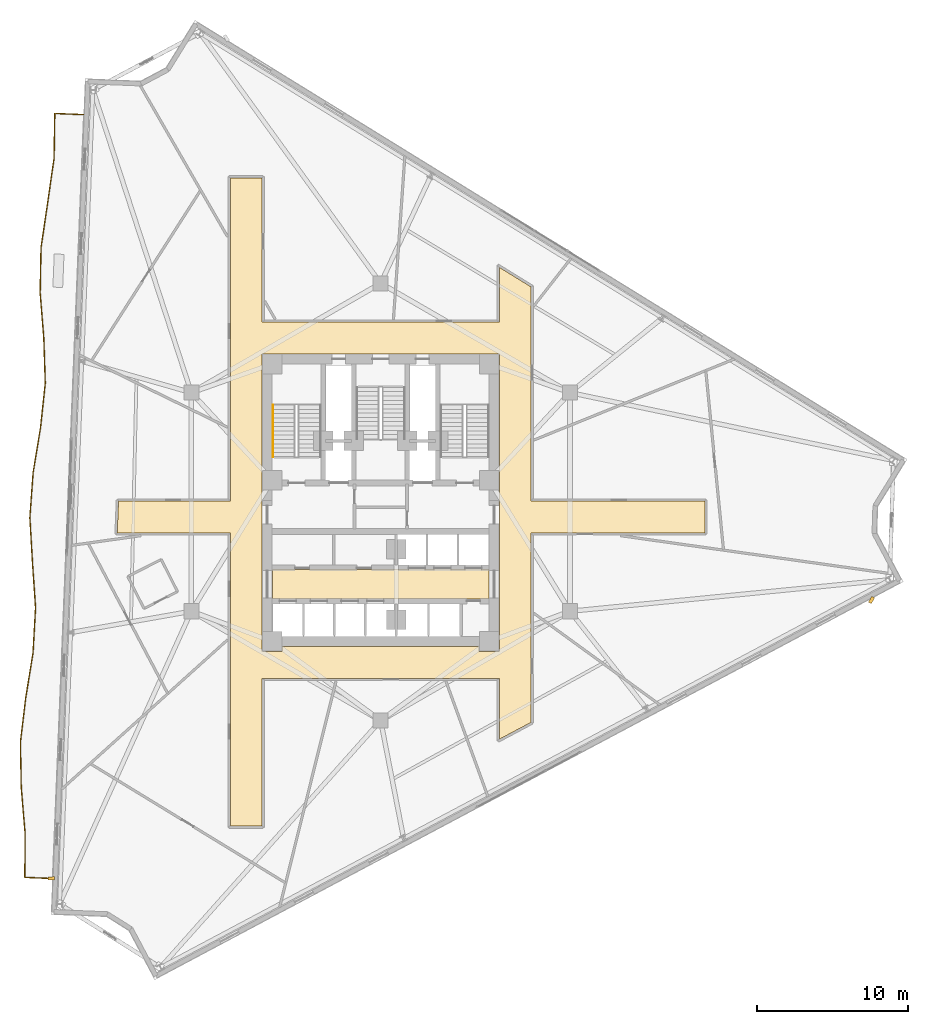
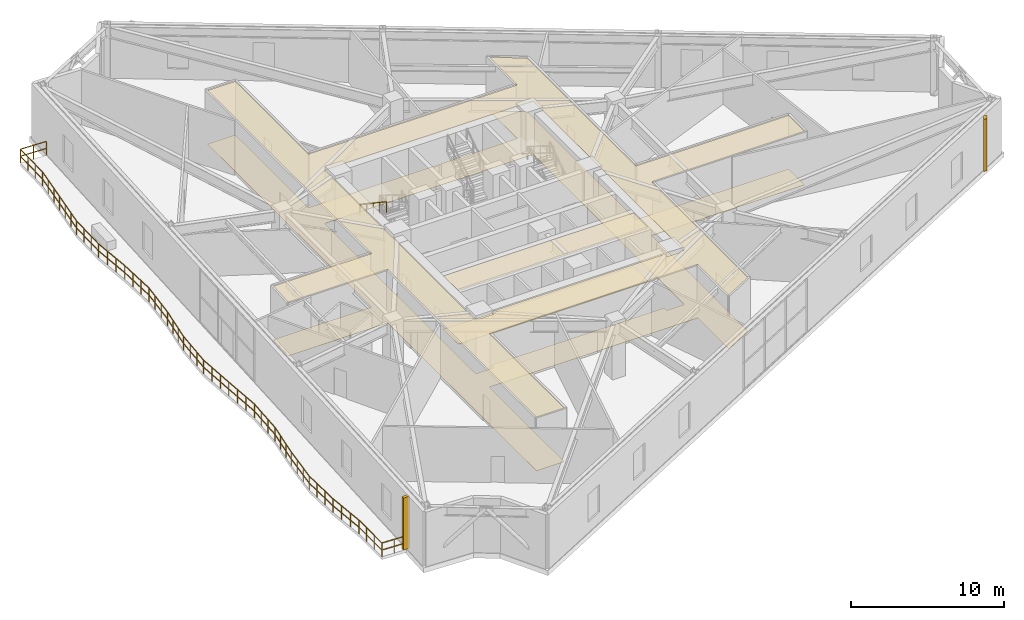
# One storey, part 21 of 22: 4 coverings, 2 railings, 2 shading devices.
"""IFC4 building model written with IfcOpenShell, lengths in metres."""

from ifc_helpers import new_model, si_unit, direction, frame, origin, origin_2d, place, context, subcontext, project, spatial, polyline, rectangle, outline, extrude, material, layer, layer_set, type_object, element, save


model = new_model("IFC4")

# Units and contexts
model_context = context("Model", 3, precision=1e-05, world=origin(), true_north=direction((0.0, 1.0)))
body_context = subcontext(model_context, "Body", "Model", "MODEL_VIEW")
ifc_project = project(units=[si_unit("LENGTHUNIT", "METRE"), si_unit("AREAUNIT", "SQUARE_METRE"), si_unit("VOLUMEUNIT", "CUBIC_METRE"), si_unit("PLANEANGLEUNIT", "RADIAN"), si_unit("MASSUNIT", "GRAM", prefix="KILO")], contexts=[model_context])

# Site, building, storey
site_placement = place(None, origin())
site = spatial("IfcSite", under=ifc_project, at=site_placement, CompositionType="ELEMENT")
building_placement = place(site_placement, origin())
building = spatial("IfcBuilding", under=site, at=building_placement, Name="Apsidion Concourse Tower", CompositionType="ELEMENT")
storey_placement = place(building_placement, frame((0.0, 0.0, 160.89990234375)))
storey = spatial("IfcBuildingStorey", under=building, at=storey_placement, Name="L37", CompositionType="ELEMENT", Elevation=160.89990234375)

# Coverings
ifc_material_1 = material(Name="Acoustic mineral fibre ceiling")
ifc_layer_1 = layer(ifc_material_1, 0.0400390625)
ifc_layer_set_1 = layer_set([ifc_layer_1], Name="Acoustic mineral fibre ceiling")
covering_type_1 = type_object("IfcCoveringType", Name="COV-CEIL-40", PredefinedType="CEILING", material=ifc_layer_set_1)
covering_1_placement = place(storey_placement, frame((0.0, 0.0, 4.25)))
element("IfcCovering", 1, at=covering_1_placement, inside=storey, type_object=covering_type_1, Name="L37 Acoustic Ceiling Grid 1", PredefinedType="CEILING", context=body_context, shape_type="SweptSolid", body=[
    extrude(outline(polyline([(-7.179931640625, -6.449951171875), (-7.179931640625, -4.47998046875), (7.179931640625, -4.47998046875), (7.179931640625, -6.449951171875), (-7.179931640625, -6.449951171875)])), origin(), (0.0, 0.0, 1.0), 0.0400390625),
])
covering_2_placement = place(storey_placement, frame((0.0, 0.0, 4.25)))
element("IfcCovering", 2, at=covering_2_placement, inside=storey, type_object=covering_type_1, Name="L37 Acoustic Ceiling Grid 2", PredefinedType="CEILING", context=body_context, shape_type="SweptSolid", body=[
    extrude(outline(polyline([(9.969970703125, -14.620849609375), (7.8701171875, -15.7373046875), (7.8701171875, -11.695068359375), (-7.8701171875, -11.695068359375), (-7.8701171875, -21.5), (-9.969970703125, -21.5), (-9.969970703125, -11.695068359375), (-9.969970703125, -2.050048828125), (-17.47314453125, -2.050048828125), (-17.387451171875, 0.050048828125), (-9.969970703125, 0.050048828125), (-9.969970703125, 11.919921875), (-9.969970703125, 21.5), (-7.8701171875, 21.5), (-7.8701171875, 11.919921875), (7.8701171875, 11.919921875), (7.8701171875, 15.559814453125), (9.969970703125, 14.264892578125), (9.969970703125, 11.919921875), (9.969970703125, 0.050048828125), (21.5, 0.050048828125), (21.5, -2.050048828125), (9.969970703125, -2.050048828125), (9.969970703125, -11.695068359375), (9.969970703125, -14.620849609375)]), holes=[polyline([(7.8701171875, -8.60009765625), (7.8701171875, -2.050048828125), (7.8701171875, 0.050048828125), (7.8701171875, 0.800048828125), (7.8701171875, 2.10009765625), (7.8701171875, 8.5), (7.8701171875, 9.800048828125), (7.8701171875, 9.820068359375), (7.85009765625, 9.820068359375), (6.550048828125, 9.820068359375), (-6.550048828125, 9.820068359375), (-7.85009765625, 9.820068359375), (-7.8701171875, 9.820068359375), (-7.8701171875, 9.800048828125), (-7.8701171875, 8.5), (-7.8701171875, 2.10009765625), (-7.8701171875, 0.800048828125), (-7.8701171875, 0.050048828125), (-7.8701171875, -2.050048828125), (-7.8701171875, -8.60009765625), (-7.8701171875, -9.594970703125), (-7.8701171875, -9.89990234375), (-7.869873046875, -9.902099609375), (-7.86962890625, -9.90380859375), (-7.869140625, -9.90576171875), (-7.868408203125, -9.90771484375), (-7.86767578125, -9.909423828125), (-7.86669921875, -9.9111328125), (-7.865478515625, -9.91259765625), (-7.864013671875, -9.9140625), (-7.86279296875, -9.91552734375), (-7.861083984375, -9.91650390625), (-7.859375, -9.91748046875), (-7.857666015625, -9.91845703125), (-7.855712890625, -9.919189453125), (-7.85400390625, -9.919677734375), (-7.85205078125, -9.919921875), (-7.85009765625, -9.919921875), (-6.550048828125, -9.919921875), (-6.548095703125, -9.919921875), (-6.546142578125, -9.919677734375), (-6.544189453125, -9.919189453125), (-6.542236328125, -9.91845703125), (-6.54052734375, -9.91748046875), (-6.538818359375, -9.91650390625), (-6.537353515625, -9.91552734375), (-6.535888671875, -9.9140625), (-6.534423828125, -9.91259765625), (-6.533447265625, -9.9111328125), (-6.532470703125, -9.909423828125), (-6.531494140625, -9.90771484375), (-6.531005859375, -9.90576171875), (-6.530517578125, -9.90380859375), (-6.530029296875, -9.902099609375), (-6.530029296875, -9.89990234375), (-6.530029296875, -9.594970703125), (6.530029296875, -9.594970703125), (6.530029296875, -9.89990234375), (6.530029296875, -9.902099609375), (6.530517578125, -9.90380859375), (6.531005859375, -9.90576171875), (6.531494140625, -9.90771484375), (6.532470703125, -9.909423828125), (6.533447265625, -9.9111328125), (6.534423828125, -9.91259765625), (6.535888671875, -9.9140625), (6.537353515625, -9.91552734375), (6.538818359375, -9.91650390625), (6.54052734375, -9.91748046875), (6.542236328125, -9.91845703125), (6.544189453125, -9.919189453125), (6.546142578125, -9.919677734375), (6.548095703125, -9.919921875), (6.550048828125, -9.919921875), (7.85009765625, -9.919921875), (7.85205078125, -9.919921875), (7.85400390625, -9.919677734375), (7.855712890625, -9.919189453125), (7.857666015625, -9.91845703125), (7.859375, -9.91748046875), (7.861083984375, -9.91650390625), (7.86279296875, -9.91552734375), (7.864013671875, -9.9140625), (7.865478515625, -9.91259765625), (7.86669921875, -9.9111328125), (7.86767578125, -9.909423828125), (7.868408203125, -9.90771484375), (7.869140625, -9.90576171875), (7.86962890625, -9.90380859375), (7.869873046875, -9.902099609375), (7.8701171875, -9.89990234375), (7.8701171875, -9.594970703125), (7.8701171875, -8.60009765625)])]), origin(), (0.0, 0.0, 1.0), 0.0400390625),
])
ifc_material_2 = material(Name="Honed travertine floor finish", Category="masonry")
ifc_layer_2 = layer(ifc_material_2, 0.02001953125)
ifc_layer_set_2 = layer_set([ifc_layer_2], Name="Honed travertine floor finish")
covering_type_2 = type_object("IfcCoveringType", Name="COV-FLOR-20", PredefinedType="FLOORING", material=ifc_layer_set_2)
covering_3_placement = place(storey_placement, origin())
element("IfcCovering", 3, at=covering_3_placement, inside=storey, type_object=covering_type_2, Name="L37 Honed Travertine Floor Finish 1", PredefinedType="FLOORING", context=body_context, shape_type="SweptSolid", body=[
    extrude(outline(polyline([(-7.179931640625, -6.449951171875), (-7.179931640625, -4.47998046875), (7.179931640625, -4.47998046875), (7.179931640625, -6.449951171875), (-7.179931640625, -6.449951171875)])), origin(), (0.0, 0.0, 1.0), 0.02001953125),
])
covering_4_placement = place(storey_placement, origin())
element("IfcCovering", 4, at=covering_4_placement, inside=storey, type_object=covering_type_2, Name="L37 Honed Travertine Floor Finish 2", PredefinedType="FLOORING", context=body_context, shape_type="SweptSolid", body=[
    extrude(outline(polyline([(9.969970703125, -14.620849609375), (7.8701171875, -15.7373046875), (7.8701171875, -11.695068359375), (-7.8701171875, -11.695068359375), (-7.8701171875, -21.5), (-9.969970703125, -21.5), (-9.969970703125, -11.695068359375), (-9.969970703125, -2.050048828125), (-17.47314453125, -2.050048828125), (-17.387451171875, 0.050048828125), (-9.969970703125, 0.050048828125), (-9.969970703125, 11.919921875), (-9.969970703125, 21.5), (-7.8701171875, 21.5), (-7.8701171875, 11.919921875), (7.8701171875, 11.919921875), (7.8701171875, 15.559814453125), (9.969970703125, 14.264892578125), (9.969970703125, 11.919921875), (9.969970703125, 0.050048828125), (21.5, 0.050048828125), (21.5, -2.050048828125), (9.969970703125, -2.050048828125), (9.969970703125, -11.695068359375), (9.969970703125, -14.620849609375)]), holes=[polyline([(7.8701171875, -8.60009765625), (7.8701171875, -2.050048828125), (7.8701171875, 0.050048828125), (7.8701171875, 0.800048828125), (7.8701171875, 2.10009765625), (7.8701171875, 8.5), (7.8701171875, 9.800048828125), (7.8701171875, 9.820068359375), (7.85009765625, 9.820068359375), (6.550048828125, 9.820068359375), (-6.550048828125, 9.820068359375), (-7.85009765625, 9.820068359375), (-7.8701171875, 9.820068359375), (-7.8701171875, 9.800048828125), (-7.8701171875, 8.5), (-7.8701171875, 2.10009765625), (-7.8701171875, 0.800048828125), (-7.8701171875, 0.050048828125), (-7.8701171875, -2.050048828125), (-7.8701171875, -8.60009765625), (-7.8701171875, -9.594970703125), (-7.8701171875, -9.89990234375), (-7.869873046875, -9.902099609375), (-7.86962890625, -9.90380859375), (-7.869140625, -9.90576171875), (-7.868408203125, -9.90771484375), (-7.86767578125, -9.909423828125), (-7.86669921875, -9.9111328125), (-7.865478515625, -9.91259765625), (-7.864013671875, -9.9140625), (-7.86279296875, -9.91552734375), (-7.861083984375, -9.91650390625), (-7.859375, -9.91748046875), (-7.857666015625, -9.91845703125), (-7.855712890625, -9.919189453125), (-7.85400390625, -9.919677734375), (-7.85205078125, -9.919921875), (-7.85009765625, -9.919921875), (-6.550048828125, -9.919921875), (-6.548095703125, -9.919921875), (-6.546142578125, -9.919677734375), (-6.544189453125, -9.919189453125), (-6.542236328125, -9.91845703125), (-6.54052734375, -9.91748046875), (-6.538818359375, -9.91650390625), (-6.537353515625, -9.91552734375), (-6.535888671875, -9.9140625), (-6.534423828125, -9.91259765625), (-6.533447265625, -9.9111328125), (-6.532470703125, -9.909423828125), (-6.531494140625, -9.90771484375), (-6.531005859375, -9.90576171875), (-6.530517578125, -9.90380859375), (-6.530029296875, -9.902099609375), (-6.530029296875, -9.89990234375), (-6.530029296875, -9.594970703125), (6.530029296875, -9.594970703125), (6.530029296875, -9.89990234375), (6.530029296875, -9.902099609375), (6.530517578125, -9.90380859375), (6.531005859375, -9.90576171875), (6.531494140625, -9.90771484375), (6.532470703125, -9.909423828125), (6.533447265625, -9.9111328125), (6.534423828125, -9.91259765625), (6.535888671875, -9.9140625), (6.537353515625, -9.91552734375), (6.538818359375, -9.91650390625), (6.54052734375, -9.91748046875), (6.542236328125, -9.91845703125), (6.544189453125, -9.919189453125), (6.546142578125, -9.919677734375), (6.548095703125, -9.919921875), (6.550048828125, -9.919921875), (7.85009765625, -9.919921875), (7.85205078125, -9.919921875), (7.85400390625, -9.919677734375), (7.855712890625, -9.919189453125), (7.857666015625, -9.91845703125), (7.859375, -9.91748046875), (7.861083984375, -9.91650390625), (7.86279296875, -9.91552734375), (7.864013671875, -9.9140625), (7.865478515625, -9.91259765625), (7.86669921875, -9.9111328125), (7.86767578125, -9.909423828125), (7.868408203125, -9.90771484375), (7.869140625, -9.90576171875), (7.86962890625, -9.90380859375), (7.869873046875, -9.902099609375), (7.8701171875, -9.89990234375), (7.8701171875, -9.594970703125), (7.8701171875, -8.60009765625)])]), origin(), (0.0, 0.0, 1.0), 0.02001953125),
])

# Railings
ifc_material_3 = material(Name="Brushed stainless steel 316", Category="steel")
railing_type_1 = type_object("IfcRailingType", Name="RL-BAL-1120", PredefinedType="BALUSTRADE", material=ifc_material_3)
railing_1_placement = place(storey_placement, frame((-21.777587890625, -24.97802734375, 0.0)))
element("IfcRailing", 5, at=railing_1_placement, inside=storey, type_object=railing_type_1, Name="L37 Face 1 Spiral Terrace Balustrade", PredefinedType="BALUSTRADE", context=body_context, shape_type="SweptSolid", body=[
    extrude(rectangle(XDim=0.048095703125, YDim=0.048095703125, at=origin_2d()), frame((0.0, 0.0, 1.09619140625), z_axis=(-0.999167274185, 0.040801448471, 0.0), x_axis=(-0.040801448471, -0.999167274185, 0.0)), (0.0, 0.0, 1.0), 1.824951171875),
    extrude(rectangle(XDim=0.048095703125, YDim=0.048095703125, at=origin_2d()), frame((0.0, 0.0, 0.5361328125), z_axis=(-0.999167274185, 0.040801448471, 0.0), x_axis=(-0.040801448471, -0.999167274185, 0.0)), (0.0, 0.0, 1.0), 1.824951171875),
    extrude(rectangle(XDim=0.048095703125, YDim=0.048095703125, at=origin_2d()), frame((-1.823486328125, 0.074462890625, 1.09619140625), z_axis=(0.003026075946, 0.999995421422, 0.0), x_axis=(-0.999995421422, 0.003026075946, 0.0)), (0.0, 0.0, 1.0), 2.985107421875),
    extrude(rectangle(XDim=0.048095703125, YDim=0.048095703125, at=origin_2d()), frame((-1.823486328125, 0.074462890625, 0.5361328125), z_axis=(0.003026075946, 0.999995421422, 0.0), x_axis=(-0.999995421422, 0.003026075946, 0.0)), (0.0, 0.0, 1.0), 2.985107421875),
    extrude(rectangle(XDim=0.048095703125, YDim=0.048095703125, at=origin_2d()), frame((-1.814453125, 3.0595703125, 1.09619140625), z_axis=(-0.08316646494, 0.996535668759, 0.0), x_axis=(-0.996535668759, -0.08316646494, 0.0)), (0.0, 0.0, 1.0), 3.006103515625),
    extrude(rectangle(XDim=0.048095703125, YDim=0.048095703125, at=origin_2d()), frame((-1.814453125, 3.0595703125, 0.5361328125), z_axis=(-0.08316646494, 0.996535668759, 0.0), x_axis=(-0.996535668759, -0.08316646494, 0.0)), (0.0, 0.0, 1.0), 3.006103515625),
    extrude(rectangle(XDim=0.048095703125, YDim=0.048095703125, at=origin_2d()), frame((-2.064453125, 6.05517578125, 1.09619140625), z_axis=(-0.018302074093, 0.999832503014, 0.0), x_axis=(-0.999832503014, -0.018302074093, 0.0)), (0.0, 0.0, 1.0), 2.988037109375),
    extrude(rectangle(XDim=0.048095703125, YDim=0.048095703125, at=origin_2d()), frame((-2.064453125, 6.05517578125, 0.5361328125), z_axis=(-0.018302074093, 0.999832503014, 0.0), x_axis=(-0.999832503014, -0.018302074093, 0.0)), (0.0, 0.0, 1.0), 2.988037109375),
    extrude(rectangle(XDim=0.048095703125, YDim=0.048095703125, at=origin_2d()), frame((-2.119140625, 9.042724609375, 1.09619140625), z_axis=(0.119122699443, 0.992879540769, 0.0), x_axis=(-0.992879540769, 0.119122699443, 0.0)), (0.0, 0.0, 1.0), 2.9921875),
    extrude(rectangle(XDim=0.048095703125, YDim=0.048095703125, at=origin_2d()), frame((-2.119140625, 9.042724609375, 0.5361328125), z_axis=(0.119122699443, 0.992879540769, 0.0), x_axis=(-0.992879540769, 0.119122699443, 0.0)), (0.0, 0.0, 1.0), 2.9921875),
    extrude(rectangle(XDim=0.048095703125, YDim=0.048095703125, at=origin_2d()), frame((-1.7626953125, 12.013671875, 1.09619140625), z_axis=(0.159904256805, 0.987132528415, 0.0), x_axis=(-0.987132528415, 0.159904256805, 0.0)), (0.0, 0.0, 1.0), 3.004638671875),
    extrude(rectangle(XDim=0.048095703125, YDim=0.048095703125, at=origin_2d()), frame((-1.7626953125, 12.013671875, 0.5361328125), z_axis=(0.159904256805, 0.987132528415, 0.0), x_axis=(-0.987132528415, 0.159904256805, 0.0)), (0.0, 0.0, 1.0), 3.004638671875),
    extrude(rectangle(XDim=0.048095703125, YDim=0.048095703125, at=origin_2d()), frame((-1.2822265625, 14.979736328125, 1.09619140625), z_axis=(0.055732912359, 0.998445713336, 0.0), x_axis=(-0.998445713336, 0.055732912359, 0.0)), (0.0, 0.0, 1.0), 2.983154296875),
    extrude(rectangle(XDim=0.048095703125, YDim=0.048095703125, at=origin_2d()), frame((-1.2822265625, 14.979736328125, 0.5361328125), z_axis=(0.055732912359, 0.998445713336, 0.0), x_axis=(-0.998445713336, 0.055732912359, 0.0)), (0.0, 0.0, 1.0), 2.983154296875),
    extrude(rectangle(XDim=0.048095703125, YDim=0.048095703125, at=origin_2d()), frame((-1.115966796875, 17.958251953125, 1.09619140625), z_axis=(-0.067528776101, 0.997717326901, 0.0), x_axis=(-0.997717326901, -0.067528776101, 0.0)), (0.0, 0.0, 1.0), 3.000732421875),
    extrude(rectangle(XDim=0.048095703125, YDim=0.048095703125, at=origin_2d()), frame((-1.115966796875, 17.958251953125, 0.5361328125), z_axis=(-0.067528776101, 0.997717326901, 0.0), x_axis=(-0.997717326901, -0.067528776101, 0.0)), (0.0, 0.0, 1.0), 3.000732421875),
    extrude(rectangle(XDim=0.048095703125, YDim=0.048095703125, at=origin_2d()), frame((-1.318603515625, 20.9521484375, 1.09619140625), z_axis=(-0.058316185429, 0.998298163134, 0.0), x_axis=(-0.998298163134, -0.058316185429, 0.0)), (0.0, 0.0, 1.0), 2.99755859375),
    extrude(rectangle(XDim=0.048095703125, YDim=0.048095703125, at=origin_2d()), frame((-1.318603515625, 20.9521484375, 0.5361328125), z_axis=(-0.058316185429, 0.998298163134, 0.0), x_axis=(-0.998298163134, -0.058316185429, 0.0)), (0.0, 0.0, 1.0), 2.99755859375),
    extrude(rectangle(XDim=0.048095703125, YDim=0.048095703125, at=origin_2d()), frame((-1.493408203125, 23.944580078125, 1.09619140625), z_axis=(0.072148072504, 0.997393932022, 0.0), x_axis=(-0.997393932022, 0.072148072504, 0.0)), (0.0, 0.0, 1.0), 2.984619140625),
    extrude(rectangle(XDim=0.048095703125, YDim=0.048095703125, at=origin_2d()), frame((-1.493408203125, 23.944580078125, 0.5361328125), z_axis=(0.072148072504, 0.997393932022, 0.0), x_axis=(-0.997393932022, 0.072148072504, 0.0)), (0.0, 0.0, 1.0), 2.984619140625),
    extrude(rectangle(XDim=0.048095703125, YDim=0.048095703125, at=origin_2d()), frame((-1.278076171875, 26.92138671875, 1.09619140625), z_axis=(0.163345152944, 0.986568984415, 0.0), x_axis=(-0.986568984415, 0.163345152944, 0.0)), (0.0, 0.0, 1.0), 3.005615234375),
    extrude(rectangle(XDim=0.048095703125, YDim=0.048095703125, at=origin_2d()), frame((-1.278076171875, 26.92138671875, 0.5361328125), z_axis=(0.163345152944, 0.986568984415, 0.0), x_axis=(-0.986568984415, 0.163345152944, 0.0)), (0.0, 0.0, 1.0), 3.005615234375),
    extrude(rectangle(XDim=0.048095703125, YDim=0.048095703125, at=origin_2d()), frame((-0.787109375, 29.88671875, 1.09619140625), z_axis=(0.105607345036, 0.994407908594, 0.0), x_axis=(-0.994407908594, 0.105607345036, 0.0)), (0.0, 0.0, 1.0), 2.989013671875),
    extrude(rectangle(XDim=0.048095703125, YDim=0.048095703125, at=origin_2d()), frame((-0.787109375, 29.88671875, 0.5361328125), z_axis=(0.105607345036, 0.994407908594, 0.0), x_axis=(-0.994407908594, 0.105607345036, 0.0)), (0.0, 0.0, 1.0), 2.989013671875),
    extrude(rectangle(XDim=0.048095703125, YDim=0.048095703125, at=origin_2d()), frame((-0.471435546875, 32.859130859375, 1.09619140625), z_axis=(-0.032485907151, 0.999472193629, 0.0), x_axis=(-0.999472193629, -0.032485907151, 0.0)), (0.0, 0.0, 1.0), 2.990966796875),
    extrude(rectangle(XDim=0.048095703125, YDim=0.048095703125, at=origin_2d()), frame((-0.471435546875, 32.859130859375, 0.5361328125), z_axis=(-0.032485907151, 0.999472193629, 0.0), x_axis=(-0.999472193629, -0.032485907151, 0.0)), (0.0, 0.0, 1.0), 2.990966796875),
    extrude(rectangle(XDim=0.048095703125, YDim=0.048095703125, at=origin_2d()), frame((-0.568603515625, 35.8486328125, 1.09619140625), z_axis=(-0.080510471845, 0.996753762934, 0.0), x_axis=(-0.996753762934, -0.080510471845, 0.0)), (0.0, 0.0, 1.0), 3.005126953125),
    extrude(rectangle(XDim=0.048095703125, YDim=0.048095703125, at=origin_2d()), frame((-0.568603515625, 35.8486328125, 0.5361328125), z_axis=(-0.080510471845, 0.996753762934, 0.0), x_axis=(-0.996753762934, -0.080510471845, 0.0)), (0.0, 0.0, 1.0), 3.005126953125),
    extrude(rectangle(XDim=0.048095703125, YDim=0.048095703125, at=origin_2d()), frame((-0.810546875, 38.843994140625, 1.09619140625), z_axis=(0.0192287872, 0.999815109779, 0.0), x_axis=(-0.999815109779, 0.0192287872, 0.0)), (0.0, 0.0, 1.0), 2.983642578125),
    extrude(rectangle(XDim=0.048095703125, YDim=0.048095703125, at=origin_2d()), frame((-0.810546875, 38.843994140625, 0.5361328125), z_axis=(0.0192287872, 0.999815109779, 0.0), x_axis=(-0.999815109779, 0.0192287872, 0.0)), (0.0, 0.0, 1.0), 2.983642578125),
    extrude(rectangle(XDim=0.048095703125, YDim=0.048095703125, at=origin_2d()), frame((-0.753173828125, 41.8271484375, 1.09619140625), z_axis=(0.1452034263, 0.989401821805, 0.0), x_axis=(-0.989401821805, 0.1452034263, 0.0)), (0.0, 0.0, 1.0), 2.99951171875),
    extrude(rectangle(XDim=0.048095703125, YDim=0.048095703125, at=origin_2d()), frame((-0.753173828125, 41.8271484375, 0.5361328125), z_axis=(0.1452034263, 0.989401821805, 0.0), x_axis=(-0.989401821805, 0.1452034263, 0.0)), (0.0, 0.0, 1.0), 2.99951171875),
    extrude(rectangle(XDim=0.048095703125, YDim=0.048095703125, at=origin_2d()), frame((-0.317626953125, 44.794921875, 1.09619140625), z_axis=(0.143449873576, 0.989657584102, 0.0), x_axis=(-0.989657584102, 0.143449873576, 0.0)), (0.0, 0.0, 1.0), 2.998779296875),
    extrude(rectangle(XDim=0.048095703125, YDim=0.048095703125, at=origin_2d()), frame((-0.317626953125, 44.794921875, 0.5361328125), z_axis=(0.143449873576, 0.989657584102, 0.0), x_axis=(-0.989657584102, 0.143449873576, 0.0)), (0.0, 0.0, 1.0), 2.998779296875),
    extrude(rectangle(XDim=0.048095703125, YDim=0.048095703125, at=origin_2d()), frame((0.112548828125, 47.7626953125, 1.09619140625), z_axis=(0.015954110252, 0.999872725084, 0.0), x_axis=(-0.999872725084, 0.015954110252, 0.0)), (0.0, 0.0, 1.0), 2.984130859375),
    extrude(rectangle(XDim=0.048095703125, YDim=0.048095703125, at=origin_2d()), frame((0.112548828125, 47.7626953125, 0.5361328125), z_axis=(0.015954110252, 0.999872725084, 0.0), x_axis=(-0.999872725084, 0.015954110252, 0.0)), (0.0, 0.0, 1.0), 2.984130859375),
    extrude(rectangle(XDim=0.048095703125, YDim=0.048095703125, at=origin_2d()), frame((0.16015625, 50.746337890625, 1.09619140625), z_axis=(0.999164011072, -0.040881279062, 0.0), x_axis=(0.040881279062, 0.999164011072, 0.0)), (0.0, 0.0, 1.0), 1.9111328125),
    extrude(rectangle(XDim=0.048095703125, YDim=0.048095703125, at=origin_2d()), frame((0.16015625, 50.746337890625, 0.5361328125), z_axis=(0.999164011072, -0.040881279062, 0.0), x_axis=(0.040881279062, 0.999164011072, 0.0)), (0.0, 0.0, 1.0), 1.9111328125),
    extrude(rectangle(XDim=0.0419921875, YDim=0.0419921875, at=origin_2d()), origin(), (0.0, 0.0, 1.0), 1.072021484375),
    extrude(rectangle(XDim=0.0419921875, YDim=0.0419921875, at=origin_2d()), frame((-0.91162109375, 0.037109375, 0.0)), (0.0, 0.0, 1.0), 1.072021484375),
    extrude(rectangle(XDim=0.0419921875, YDim=0.0419921875, at=origin_2d()), frame((-1.823486328125, 0.074462890625, 0.0)), (0.0, 0.0, 1.0), 1.072021484375),
    extrude(rectangle(XDim=0.0419921875, YDim=0.0419921875, at=origin_2d()), frame((-1.820556640625, 1.069580078125, 0.0)), (0.0, 0.0, 1.0), 1.072021484375),
    extrude(rectangle(XDim=0.0419921875, YDim=0.0419921875, at=origin_2d()), frame((-1.8173828125, 2.064453125, 0.0)), (0.0, 0.0, 1.0), 1.072021484375),
    extrude(rectangle(XDim=0.0419921875, YDim=0.0419921875, at=origin_2d()), frame((-1.814453125, 3.0595703125, 0.0)), (0.0, 0.0, 1.0), 1.072021484375),
    extrude(rectangle(XDim=0.0419921875, YDim=0.0419921875, at=origin_2d()), frame((-1.897705078125, 4.05810546875, 0.0)), (0.0, 0.0, 1.0), 1.072021484375),
    extrude(rectangle(XDim=0.0419921875, YDim=0.0419921875, at=origin_2d()), frame((-1.981201171875, 5.056640625, 0.0)), (0.0, 0.0, 1.0), 1.072021484375),
    extrude(rectangle(XDim=0.0419921875, YDim=0.0419921875, at=origin_2d()), frame((-2.064453125, 6.05517578125, 0.0)), (0.0, 0.0, 1.0), 1.072021484375),
    extrude(rectangle(XDim=0.0419921875, YDim=0.0419921875, at=origin_2d()), frame((-2.082763671875, 7.051025390625, 0.0)), (0.0, 0.0, 1.0), 1.072021484375),
    extrude(rectangle(XDim=0.0419921875, YDim=0.0419921875, at=origin_2d()), frame((-2.100830078125, 8.046875, 0.0)), (0.0, 0.0, 1.0), 1.072021484375),
    extrude(rectangle(XDim=0.0419921875, YDim=0.0419921875, at=origin_2d()), frame((-2.119140625, 9.042724609375, 0.0)), (0.0, 0.0, 1.0), 1.072021484375),
    extrude(rectangle(XDim=0.0419921875, YDim=0.0419921875, at=origin_2d()), frame((-2.000244140625, 10.032958984375, 0.0)), (0.0, 0.0, 1.0), 1.072021484375),
    extrude(rectangle(XDim=0.0419921875, YDim=0.0419921875, at=origin_2d()), frame((-1.881591796875, 11.0234375, 0.0)), (0.0, 0.0, 1.0), 1.072021484375),
    extrude(rectangle(XDim=0.0419921875, YDim=0.0419921875, at=origin_2d()), frame((-1.7626953125, 12.013671875, 0.0)), (0.0, 0.0, 1.0), 1.072021484375),
    extrude(rectangle(XDim=0.0419921875, YDim=0.0419921875, at=origin_2d()), frame((-1.6025390625, 13.00244140625, 0.0)), (0.0, 0.0, 1.0), 1.072021484375),
    extrude(rectangle(XDim=0.0419921875, YDim=0.0419921875, at=origin_2d()), frame((-1.4423828125, 13.990966796875, 0.0)), (0.0, 0.0, 1.0), 1.072021484375),
    extrude(rectangle(XDim=0.0419921875, YDim=0.0419921875, at=origin_2d()), frame((-1.2822265625, 14.979736328125, 0.0)), (0.0, 0.0, 1.0), 1.072021484375),
    extrude(rectangle(XDim=0.0419921875, YDim=0.0419921875, at=origin_2d()), frame((-1.226806640625, 15.97265625, 0.0)), (0.0, 0.0, 1.0), 1.072021484375),
    extrude(rectangle(XDim=0.0419921875, YDim=0.0419921875, at=origin_2d()), frame((-1.17138671875, 16.96533203125, 0.0)), (0.0, 0.0, 1.0), 1.072021484375),
    extrude(rectangle(XDim=0.0419921875, YDim=0.0419921875, at=origin_2d()), frame((-1.115966796875, 17.958251953125, 0.0)), (0.0, 0.0, 1.0), 1.072021484375),
    extrude(rectangle(XDim=0.0419921875, YDim=0.0419921875, at=origin_2d()), frame((-1.18359375, 18.956298828125, 0.0)), (0.0, 0.0, 1.0), 1.072021484375),
    extrude(rectangle(XDim=0.0419921875, YDim=0.0419921875, at=origin_2d()), frame((-1.2509765625, 19.9541015625, 0.0)), (0.0, 0.0, 1.0), 1.072021484375),
    extrude(rectangle(XDim=0.0419921875, YDim=0.0419921875, at=origin_2d()), frame((-1.318603515625, 20.9521484375, 0.0)), (0.0, 0.0, 1.0), 1.072021484375),
    extrude(rectangle(XDim=0.0419921875, YDim=0.0419921875, at=origin_2d()), frame((-1.376953125, 21.94970703125, 0.0)), (0.0, 0.0, 1.0), 1.072021484375),
    extrude(rectangle(XDim=0.0419921875, YDim=0.0419921875, at=origin_2d()), frame((-1.43505859375, 22.947021484375, 0.0)), (0.0, 0.0, 1.0), 1.072021484375),
    extrude(rectangle(XDim=0.0419921875, YDim=0.0419921875, at=origin_2d()), frame((-1.493408203125, 23.944580078125, 0.0)), (0.0, 0.0, 1.0), 1.072021484375),
    extrude(rectangle(XDim=0.0419921875, YDim=0.0419921875, at=origin_2d()), frame((-1.421630859375, 24.936767578125, 0.0)), (0.0, 0.0, 1.0), 1.072021484375),
    extrude(rectangle(XDim=0.0419921875, YDim=0.0419921875, at=origin_2d()), frame((-1.349853515625, 25.92919921875, 0.0)), (0.0, 0.0, 1.0), 1.072021484375),
    extrude(rectangle(XDim=0.0419921875, YDim=0.0419921875, at=origin_2d()), frame((-1.278076171875, 26.92138671875, 0.0)), (0.0, 0.0, 1.0), 1.072021484375),
    extrude(rectangle(XDim=0.0419921875, YDim=0.0419921875, at=origin_2d()), frame((-1.114501953125, 27.909912109375, 0.0)), (0.0, 0.0, 1.0), 1.072021484375),
    extrude(rectangle(XDim=0.0419921875, YDim=0.0419921875, at=origin_2d()), frame((-0.95068359375, 28.898193359375, 0.0)), (0.0, 0.0, 1.0), 1.072021484375),
    extrude(rectangle(XDim=0.0419921875, YDim=0.0419921875, at=origin_2d()), frame((-0.787109375, 29.88671875, 0.0)), (0.0, 0.0, 1.0), 1.072021484375),
    extrude(rectangle(XDim=0.0419921875, YDim=0.0419921875, at=origin_2d()), frame((-0.681884765625, 30.87744140625, 0.0)), (0.0, 0.0, 1.0), 1.072021484375),
    extrude(rectangle(XDim=0.0419921875, YDim=0.0419921875, at=origin_2d()), frame((-0.57666015625, 31.868408203125, 0.0)), (0.0, 0.0, 1.0), 1.072021484375),
    extrude(rectangle(XDim=0.0419921875, YDim=0.0419921875, at=origin_2d()), frame((-0.471435546875, 32.859130859375, 0.0)), (0.0, 0.0, 1.0), 1.072021484375),
    extrude(rectangle(XDim=0.0419921875, YDim=0.0419921875, at=origin_2d()), frame((-0.50390625, 33.855712890625, 0.0)), (0.0, 0.0, 1.0), 1.072021484375),
    extrude(rectangle(XDim=0.0419921875, YDim=0.0419921875, at=origin_2d()), frame((-0.5361328125, 34.85205078125, 0.0)), (0.0, 0.0, 1.0), 1.072021484375),
    extrude(rectangle(XDim=0.0419921875, YDim=0.0419921875, at=origin_2d()), frame((-0.568603515625, 35.8486328125, 0.0)), (0.0, 0.0, 1.0), 1.072021484375),
    extrude(rectangle(XDim=0.0419921875, YDim=0.0419921875, at=origin_2d()), frame((-0.649169921875, 36.84716796875, 0.0)), (0.0, 0.0, 1.0), 1.072021484375),
    extrude(rectangle(XDim=0.0419921875, YDim=0.0419921875, at=origin_2d()), frame((-0.72998046875, 37.845458984375, 0.0)), (0.0, 0.0, 1.0), 1.072021484375),
    extrude(rectangle(XDim=0.0419921875, YDim=0.0419921875, at=origin_2d()), frame((-0.810546875, 38.843994140625, 0.0)), (0.0, 0.0, 1.0), 1.072021484375),
    extrude(rectangle(XDim=0.0419921875, YDim=0.0419921875, at=origin_2d()), frame((-0.79150390625, 39.83837890625, 0.0)), (0.0, 0.0, 1.0), 1.072021484375),
    extrude(rectangle(XDim=0.0419921875, YDim=0.0419921875, at=origin_2d()), frame((-0.772216796875, 40.832763671875, 0.0)), (0.0, 0.0, 1.0), 1.072021484375),
    extrude(rectangle(XDim=0.0419921875, YDim=0.0419921875, at=origin_2d()), frame((-0.753173828125, 41.8271484375, 0.0)), (0.0, 0.0, 1.0), 1.072021484375),
    extrude(rectangle(XDim=0.0419921875, YDim=0.0419921875, at=origin_2d()), frame((-0.60791015625, 42.81640625, 0.0)), (0.0, 0.0, 1.0), 1.072021484375),
    extrude(rectangle(XDim=0.0419921875, YDim=0.0419921875, at=origin_2d()), frame((-0.462890625, 43.8056640625, 0.0)), (0.0, 0.0, 1.0), 1.072021484375),
    extrude(rectangle(XDim=0.0419921875, YDim=0.0419921875, at=origin_2d()), frame((-0.317626953125, 44.794921875, 0.0)), (0.0, 0.0, 1.0), 1.072021484375),
    extrude(rectangle(XDim=0.0419921875, YDim=0.0419921875, at=origin_2d()), frame((-0.17431640625, 45.7841796875, 0.0)), (0.0, 0.0, 1.0), 1.072021484375),
    extrude(rectangle(XDim=0.0419921875, YDim=0.0419921875, at=origin_2d()), frame((-0.03076171875, 46.7734375, 0.0)), (0.0, 0.0, 1.0), 1.072021484375),
    extrude(rectangle(XDim=0.0419921875, YDim=0.0419921875, at=origin_2d()), frame((0.112548828125, 47.7626953125, 0.0)), (0.0, 0.0, 1.0), 1.072021484375),
    extrude(rectangle(XDim=0.0419921875, YDim=0.0419921875, at=origin_2d()), frame((0.12841796875, 48.75732421875, 0.0)), (0.0, 0.0, 1.0), 1.072021484375),
    extrude(rectangle(XDim=0.0419921875, YDim=0.0419921875, at=origin_2d()), frame((0.144287109375, 49.751708984375, 0.0)), (0.0, 0.0, 1.0), 1.072021484375),
    extrude(rectangle(XDim=0.0419921875, YDim=0.0419921875, at=origin_2d()), frame((0.16015625, 50.746337890625, 0.0)), (0.0, 0.0, 1.0), 1.072021484375),
    extrude(rectangle(XDim=0.0419921875, YDim=0.0419921875, at=origin_2d()), frame((1.11474609375, 50.707275390625, 0.0)), (0.0, 0.0, 1.0), 1.072021484375),
    extrude(rectangle(XDim=0.0419921875, YDim=0.0419921875, at=origin_2d()), frame((2.069580078125, 50.668212890625, 0.0)), (0.0, 0.0, 1.0), 1.072021484375),
])
railing_type_2 = type_object("IfcRailingType", Name="RL-HAND-900", PredefinedType="HANDRAIL", material=ifc_material_3)
railing_2_placement = place(storey_placement, frame((-7.14990234375, 6.419921875, 2.47705078125)))
element("IfcRailing", 6, at=railing_2_placement, inside=storey, type_object=railing_type_2, Name="L37 ST1 stair handrail 2", PredefinedType="HANDRAIL", context=body_context, shape_type="SweptSolid", body=[
    extrude(rectangle(XDim=0.048095703125, YDim=0.048095703125, at=origin_2d()), frame((0.0, 0.0, 0.8759765625), z_axis=(0.0, -0.8297924358, 0.55807214004), x_axis=(1.0, 0.0, 0.0)), (0.0, 0.0, 1.0), 4.121337890625),
    extrude(rectangle(XDim=0.0419921875, YDim=0.0419921875, at=origin_2d()), origin(), (0.0, 0.0, 1.0), 0.851806640625),
    extrude(rectangle(XDim=0.0419921875, YDim=0.0419921875, at=origin_2d()), frame((0.0, -0.85498046875, 0.574951171875)), (0.0, 0.0, 1.0), 0.851806640625),
    extrude(rectangle(XDim=0.0419921875, YDim=0.0419921875, at=origin_2d()), frame((0.0, -1.7099609375, 1.14990234375)), (0.0, 0.0, 1.0), 0.851806640625),
    extrude(rectangle(XDim=0.0419921875, YDim=0.0419921875, at=origin_2d()), frame((0.0, -2.56494140625, 1.72509765625)), (0.0, 0.0, 1.0), 0.851806640625),
    extrude(rectangle(XDim=0.0419921875, YDim=0.0419921875, at=origin_2d()), frame((0.0, -3.419921875, 2.300048828125)), (0.0, 0.0, 1.0), 0.851806640625),
])

# Shading devices
ifc_material_4 = material(Name="Anodised aluminium EN AW-6063 T6", Category="aluminium")
shading_device_type = type_object("IfcShadingDeviceType", Name="SH-FIN-STONE", PredefinedType="USERDEFINED", material=ifc_material_4)
for number, where, z_axis, x_axis, name in (
    (7, (32.552490234375, -6.50390625, 0.10009765625), (0.0, 0.0, 1.0), (-0.882947592859, 0.469471562786, 0.0), "L37 Facade Vertical Solar Fin 5"),
    (8, (-21.84716796875, -24.970703125, 0.10009765625), (0.0, 0.0, 1.0), (0.040829351979, -0.999166134343, 0.0), "L37 Facade Vertical Solar Fin 9"),
):
    element("IfcShadingDevice", number, at=place(storey_placement, frame(where, z_axis=z_axis, x_axis=x_axis)), inside=storey, type_object=shading_device_type, Name=name, ObjectType="FIN", PredefinedType="USERDEFINED", context=body_context, shape_type="SweptSolid", body=[
        extrude(rectangle(XDim=0.219970703125, YDim=0.449951171875, at=origin_2d()), origin(), (0.0, 0.0, 1.0), 4.14990234375),
    ])

save(model, "model.ifc")
